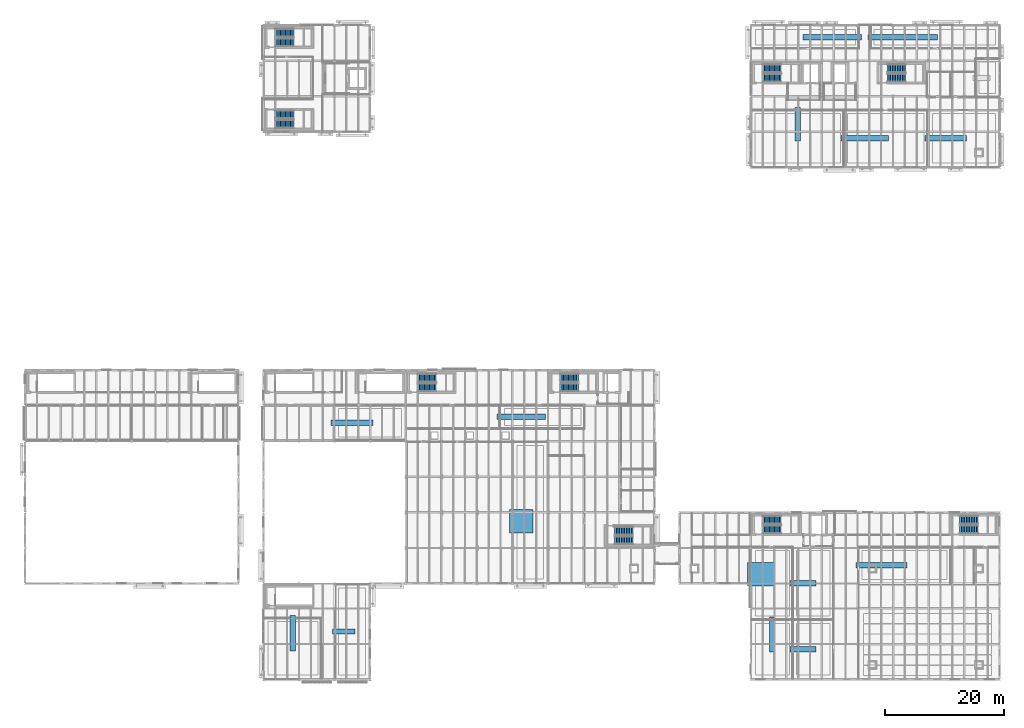
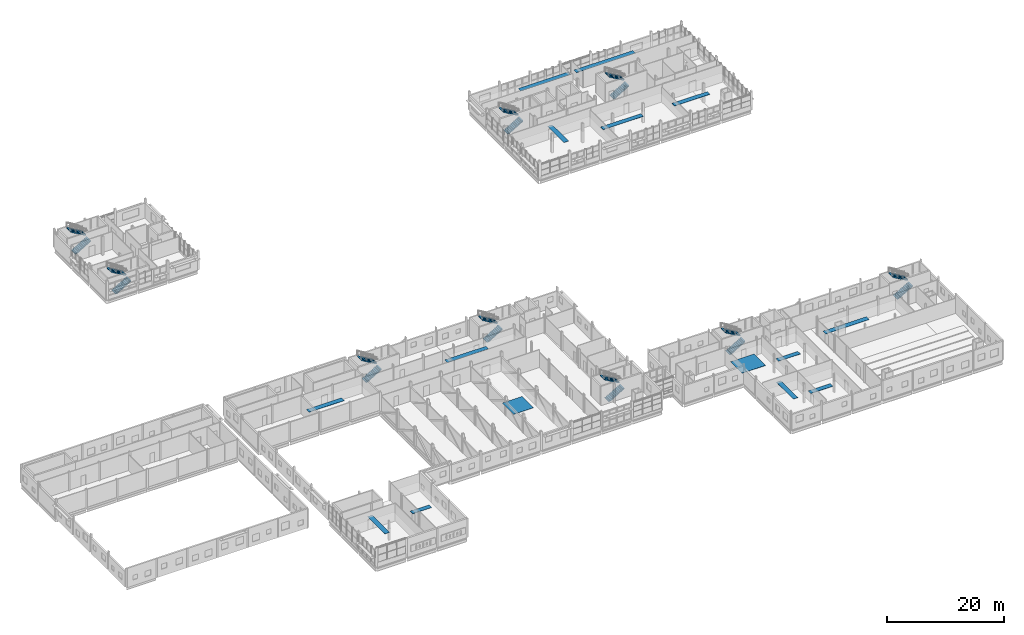
# One storey, part 79 of 92: 18 stair flights, 15 discrete accessories, 9 elements without a shape of their own.
"""IFC4 building model written with IfcOpenShell, lengths in metres."""

from ifc_helpers import new_model, si_unit, direction, frame, origin, origin_2d, place, context, subcontext, project, spatial, polyline, rectangle, outline, extrude, material, type_object, element, aggregate, save


model = new_model("IFC4")

# Units and contexts
model_context = context("Model", 3, precision=1e-05, world=origin(), true_north=direction((0.0, 1.0)))
body_context = subcontext(model_context, "Body", "Model", "MODEL_VIEW")
ifc_project = project(units=[si_unit("LENGTHUNIT", "METRE"), si_unit("AREAUNIT", "SQUARE_METRE"), si_unit("VOLUMEUNIT", "CUBIC_METRE"), si_unit("PLANEANGLEUNIT", "RADIAN"), si_unit("MASSUNIT", "GRAM", prefix="KILO")], contexts=[model_context])

# Site, building, storey
site_placement = place(None, origin())
site = spatial("IfcSite", under=ifc_project, at=site_placement, CompositionType="ELEMENT")
building_placement = place(site_placement, origin())
building = spatial("IfcBuilding", under=site, at=building_placement, Name="Siltcreek Boulevard Central Fire Station", CompositionType="ELEMENT")
storey_placement = place(building_placement, frame((0.0, 0.0, 6.0)))
storey = spatial("IfcBuildingStorey", under=building, at=storey_placement, Name="L02", CompositionType="ELEMENT", Elevation=6.0)

# Stair, stair flights
ifc_material_1 = material(Name="Precast concrete C40/50", Category="concrete")
stair_type = type_object("IfcStairType", Name="ST_DOG_H40", PredefinedType="HALF_TURN_STAIR", material=ifc_material_1)
stair_1_placement = place(storey_placement, origin())
stair_1 = element("IfcStair", 1, at=stair_1_placement, inside=storey, type_object=stair_type, Name="L02 Enclosed exit stairway ST-V2A", PredefinedType="HALF_TURN_STAIR")
stair_flight_type = type_object("IfcStairFlightType", Name="SF_DOG_H40", PredefinedType="STRAIGHT", material=ifc_material_1)
stair_flight_1_placement = place(storey_placement, frame((92.050048828125, 51.10009765625, 0.0), z_axis=(0.0, 0.0, 1.0), x_axis=(1.0, 0.0, 0.0)))
stair_flight_1 = element("IfcStairFlight", 2, at=stair_flight_1_placement, type_object=stair_flight_type, Name="ST-V2A flight 1", NumberOfRisers=12, NumberOfTreads=11, PredefinedType="STRAIGHT", RiserHeight=0.166666667, TreadLength=0.28, context=body_context, shape_type="SweptSolid", body=[
    extrude(outline(polyline([(0.0, 0.0), (0.0, 0.166748046875), (0.280029296875, 0.166748046875), (0.280029296875, 0.333251953125), (0.56005859375, 0.333251953125), (0.56005859375, 0.5), (0.840087890625, 0.5), (0.840087890625, 0.666748046875), (1.1201171875, 0.666748046875), (1.1201171875, 0.833251953125), (1.39990234375, 0.833251953125), (1.39990234375, 1.0), (1.679931640625, 1.0), (1.679931640625, 1.166748046875), (1.9599609375, 1.166748046875), (1.9599609375, 1.333251953125), (2.239990234375, 1.333251953125), (2.239990234375, 1.5), (2.52001953125, 1.5), (2.52001953125, 1.666748046875), (2.800048828125, 1.666748046875), (2.800048828125, 1.833251953125), (3.080078125, 1.833251953125), (3.080078125, 2.0), (3.080078125, 1.647216796875), (0.312744140625, 0.0), (0.0, 0.0)])), frame((0.0, 0.699951171875, 0.0), z_axis=(0.0, -1.0, 0.0), x_axis=(1.0, 0.0, 0.0)), (0.0, 0.0, 1.0), 1.39990234375),
])
stair_flight_2_placement = place(storey_placement, frame((95.1298828125, 52.699951171875, 2.0), z_axis=(0.0, 0.0, 1.0), x_axis=(-1.0, 0.0, 0.0)))
stair_flight_2 = element("IfcStairFlight", 3, at=stair_flight_2_placement, type_object=stair_flight_type, Name="ST-V2A flight 2", NumberOfRisers=12, NumberOfTreads=11, PredefinedType="STRAIGHT", RiserHeight=0.166666667, TreadLength=0.28, context=body_context, shape_type="SweptSolid", body=[
    extrude(outline(polyline([(0.0, 0.0), (0.0, 0.166748046875), (0.280029296875, 0.166748046875), (0.280029296875, 0.333251953125), (0.56005859375, 0.333251953125), (0.56005859375, 0.5), (0.840087890625, 0.5), (0.840087890625, 0.666748046875), (1.1201171875, 0.666748046875), (1.1201171875, 0.833251953125), (1.39990234375, 0.833251953125), (1.39990234375, 1.0), (1.679931640625, 1.0), (1.679931640625, 1.166748046875), (1.9599609375, 1.166748046875), (1.9599609375, 1.333251953125), (2.239990234375, 1.333251953125), (2.239990234375, 1.5), (2.52001953125, 1.5), (2.52001953125, 1.666748046875), (2.800048828125, 1.666748046875), (2.800048828125, 1.833251953125), (3.080078125, 1.833251953125), (3.080078125, 2.0), (3.080078125, 1.647216796875), (0.312744140625, 0.0), (0.0, 0.0)])), frame((0.0, 0.699951171875, 0.0), z_axis=(0.0, -1.0, 0.0), x_axis=(1.0, 0.0, 0.0)), (0.0, 0.0, 1.0), 1.39990234375),
])
aggregate(stair_1, [stair_flight_1, stair_flight_2])

stair_2_placement = place(storey_placement, origin())
stair_2 = element("IfcStair", 4, at=stair_2_placement, inside=storey, type_object=stair_type, Name="L02 Enclosed exit stairway ST-V2B", PredefinedType="HALF_TURN_STAIR")
stair_flight_3_placement = place(storey_placement, frame((101.25, 25.300048828125, 0.0), z_axis=(0.0, 0.0, 1.0), x_axis=(1.0, 0.0, 0.0)))
stair_flight_3 = element("IfcStairFlight", 5, at=stair_flight_3_placement, type_object=stair_flight_type, Name="ST-V2B flight 1", NumberOfRisers=12, NumberOfTreads=11, PredefinedType="STRAIGHT", RiserHeight=0.166666667, TreadLength=0.28, context=body_context, shape_type="SweptSolid", body=[
    extrude(outline(polyline([(0.0, 0.0), (0.0, 0.166748046875), (0.280029296875, 0.166748046875), (0.280029296875, 0.333251953125), (0.56005859375, 0.333251953125), (0.56005859375, 0.5), (0.840087890625, 0.5), (0.840087890625, 0.666748046875), (1.1201171875, 0.666748046875), (1.1201171875, 0.833251953125), (1.39990234375, 0.833251953125), (1.39990234375, 1.0), (1.679931640625, 1.0), (1.679931640625, 1.166748046875), (1.9599609375, 1.166748046875), (1.9599609375, 1.333251953125), (2.239990234375, 1.333251953125), (2.239990234375, 1.5), (2.52001953125, 1.5), (2.52001953125, 1.666748046875), (2.800048828125, 1.666748046875), (2.800048828125, 1.833251953125), (3.080078125, 1.833251953125), (3.080078125, 2.0), (3.080078125, 1.647216796875), (0.312744140625, 0.0), (0.0, 0.0)])), frame((0.0, 0.699951171875, 0.0), z_axis=(0.0, -1.0, 0.0), x_axis=(1.0, 0.0, 0.0)), (0.0, 0.0, 1.0), 1.39990234375),
])
stair_flight_4_placement = place(storey_placement, frame((104.330078125, 26.89990234375, 2.0), z_axis=(0.0, 0.0, 1.0), x_axis=(-1.0, 0.0, 0.0)))
stair_flight_4 = element("IfcStairFlight", 6, at=stair_flight_4_placement, type_object=stair_flight_type, Name="ST-V2B flight 2", NumberOfRisers=12, NumberOfTreads=11, PredefinedType="STRAIGHT", RiserHeight=0.166666667, TreadLength=0.28, context=body_context, shape_type="SweptSolid", body=[
    extrude(outline(polyline([(0.0, 0.0), (0.0, 0.166748046875), (0.280029296875, 0.166748046875), (0.280029296875, 0.333251953125), (0.56005859375, 0.333251953125), (0.56005859375, 0.5), (0.840087890625, 0.5), (0.840087890625, 0.666748046875), (1.1201171875, 0.666748046875), (1.1201171875, 0.833251953125), (1.39990234375, 0.833251953125), (1.39990234375, 1.0), (1.679931640625, 1.0), (1.679931640625, 1.166748046875), (1.9599609375, 1.166748046875), (1.9599609375, 1.333251953125), (2.239990234375, 1.333251953125), (2.239990234375, 1.5), (2.52001953125, 1.5), (2.52001953125, 1.666748046875), (2.800048828125, 1.666748046875), (2.800048828125, 1.833251953125), (3.080078125, 1.833251953125), (3.080078125, 2.0), (3.080078125, 1.647216796875), (0.312744140625, 0.0), (0.0, 0.0)])), frame((0.0, 0.699951171875, 0.0), z_axis=(0.0, -1.0, 0.0), x_axis=(1.0, 0.0, 0.0)), (0.0, 0.0, 1.0), 1.39990234375),
])
aggregate(stair_2, [stair_flight_3, stair_flight_4])

stair_3_placement = place(storey_placement, origin())
stair_3 = element("IfcStair", 7, at=stair_3_placement, inside=storey, type_object=stair_type, Name="L02 Enclosed exit stairway ST-V2C", PredefinedType="HALF_TURN_STAIR")
stair_flight_5_placement = place(storey_placement, frame((68.050048828125, 51.10009765625, 0.0), z_axis=(0.0, 0.0, 1.0), x_axis=(1.0, 0.0, 0.0)))
stair_flight_5 = element("IfcStairFlight", 8, at=stair_flight_5_placement, type_object=stair_flight_type, Name="ST-V2C flight 1", NumberOfRisers=12, NumberOfTreads=11, PredefinedType="STRAIGHT", RiserHeight=0.166666667, TreadLength=0.28, context=body_context, shape_type="SweptSolid", body=[
    extrude(outline(polyline([(0.0, 0.0), (0.0, 0.166748046875), (0.280029296875, 0.166748046875), (0.280029296875, 0.333251953125), (0.56005859375, 0.333251953125), (0.56005859375, 0.5), (0.840087890625, 0.5), (0.840087890625, 0.666748046875), (1.1201171875, 0.666748046875), (1.1201171875, 0.833251953125), (1.39990234375, 0.833251953125), (1.39990234375, 1.0), (1.679931640625, 1.0), (1.679931640625, 1.166748046875), (1.9599609375, 1.166748046875), (1.9599609375, 1.333251953125), (2.239990234375, 1.333251953125), (2.239990234375, 1.5), (2.52001953125, 1.5), (2.52001953125, 1.666748046875), (2.800048828125, 1.666748046875), (2.800048828125, 1.833251953125), (3.080078125, 1.833251953125), (3.080078125, 2.0), (3.080078125, 1.647216796875), (0.312744140625, 0.0), (0.0, 0.0)])), frame((0.0, 0.699951171875, 0.0), z_axis=(0.0, -1.0, 0.0), x_axis=(1.0, 0.0, 0.0)), (0.0, 0.0, 1.0), 1.39990234375),
])
stair_flight_6_placement = place(storey_placement, frame((71.1298828125, 52.699951171875, 2.0), z_axis=(0.0, 0.0, 1.0), x_axis=(-1.0, 0.0, 0.0)))
stair_flight_6 = element("IfcStairFlight", 9, at=stair_flight_6_placement, type_object=stair_flight_type, Name="ST-V2C flight 2", NumberOfRisers=12, NumberOfTreads=11, PredefinedType="STRAIGHT", RiserHeight=0.166666667, TreadLength=0.28, context=body_context, shape_type="SweptSolid", body=[
    extrude(outline(polyline([(0.0, 0.0), (0.0, 0.166748046875), (0.280029296875, 0.166748046875), (0.280029296875, 0.333251953125), (0.56005859375, 0.333251953125), (0.56005859375, 0.5), (0.840087890625, 0.5), (0.840087890625, 0.666748046875), (1.1201171875, 0.666748046875), (1.1201171875, 0.833251953125), (1.39990234375, 0.833251953125), (1.39990234375, 1.0), (1.679931640625, 1.0), (1.679931640625, 1.166748046875), (1.9599609375, 1.166748046875), (1.9599609375, 1.333251953125), (2.239990234375, 1.333251953125), (2.239990234375, 1.5), (2.52001953125, 1.5), (2.52001953125, 1.666748046875), (2.800048828125, 1.666748046875), (2.800048828125, 1.833251953125), (3.080078125, 1.833251953125), (3.080078125, 2.0), (3.080078125, 1.647216796875), (0.312744140625, 0.0), (0.0, 0.0)])), frame((0.0, 0.699951171875, 0.0), z_axis=(0.0, -1.0, 0.0), x_axis=(1.0, 0.0, 0.0)), (0.0, 0.0, 1.0), 1.39990234375),
])
aggregate(stair_3, [stair_flight_5, stair_flight_6])

stair_4_placement = place(storey_placement, origin())
stair_4 = element("IfcStair", 10, at=stair_4_placement, inside=storey, type_object=stair_type, Name="L02 Enclosed exit stairway ST-V3A", PredefinedType="HALF_TURN_STAIR")
stair_flight_7_placement = place(storey_placement, frame((44.050048828125, 95.5, 0.0), z_axis=(0.0, 0.0, 1.0), x_axis=(1.0, 0.0, 0.0)))
stair_flight_7 = element("IfcStairFlight", 11, at=stair_flight_7_placement, type_object=stair_flight_type, Name="ST-V3A flight 1", NumberOfRisers=12, NumberOfTreads=11, PredefinedType="STRAIGHT", RiserHeight=0.166666667, TreadLength=0.28, context=body_context, shape_type="SweptSolid", body=[
    extrude(outline(polyline([(0.0, 0.0), (0.0, 0.166748046875), (0.280029296875, 0.166748046875), (0.280029296875, 0.333251953125), (0.56005859375, 0.333251953125), (0.56005859375, 0.5), (0.840087890625, 0.5), (0.840087890625, 0.666748046875), (1.1201171875, 0.666748046875), (1.1201171875, 0.833251953125), (1.39990234375, 0.833251953125), (1.39990234375, 1.0), (1.679931640625, 1.0), (1.679931640625, 1.166748046875), (1.9599609375, 1.166748046875), (1.9599609375, 1.333251953125), (2.239990234375, 1.333251953125), (2.239990234375, 1.5), (2.52001953125, 1.5), (2.52001953125, 1.666748046875), (2.800048828125, 1.666748046875), (2.800048828125, 1.833251953125), (3.080078125, 1.833251953125), (3.080078125, 2.0), (3.080078125, 1.647216796875), (0.312744140625, 0.0), (0.0, 0.0)])), frame((0.0, 0.699951171875, 0.0), z_axis=(0.0, -1.0, 0.0), x_axis=(1.0, 0.0, 0.0)), (0.0, 0.0, 1.0), 1.39990234375),
])
stair_flight_8_placement = place(storey_placement, frame((47.1298828125, 97.10009765625, 2.0), z_axis=(0.0, 0.0, 1.0), x_axis=(-1.0, 0.0, 0.0)))
stair_flight_8 = element("IfcStairFlight", 12, at=stair_flight_8_placement, type_object=stair_flight_type, Name="ST-V3A flight 2", NumberOfRisers=12, NumberOfTreads=11, PredefinedType="STRAIGHT", RiserHeight=0.166666667, TreadLength=0.28, context=body_context, shape_type="SweptSolid", body=[
    extrude(outline(polyline([(0.0, 0.0), (0.0, 0.166748046875), (0.280029296875, 0.166748046875), (0.280029296875, 0.333251953125), (0.56005859375, 0.333251953125), (0.56005859375, 0.5), (0.840087890625, 0.5), (0.840087890625, 0.666748046875), (1.1201171875, 0.666748046875), (1.1201171875, 0.833251953125), (1.39990234375, 0.833251953125), (1.39990234375, 1.0), (1.679931640625, 1.0), (1.679931640625, 1.166748046875), (1.9599609375, 1.166748046875), (1.9599609375, 1.333251953125), (2.239990234375, 1.333251953125), (2.239990234375, 1.5), (2.52001953125, 1.5), (2.52001953125, 1.666748046875), (2.800048828125, 1.666748046875), (2.800048828125, 1.833251953125), (3.080078125, 1.833251953125), (3.080078125, 2.0), (3.080078125, 1.647216796875), (0.312744140625, 0.0), (0.0, 0.0)])), frame((0.0, 0.699951171875, 0.0), z_axis=(0.0, -1.0, 0.0), x_axis=(1.0, 0.0, 0.0)), (0.0, 0.0, 1.0), 1.39990234375),
])
aggregate(stair_4, [stair_flight_7, stair_flight_8])

stair_5_placement = place(storey_placement, origin())
stair_5 = element("IfcStair", 13, at=stair_5_placement, inside=storey, type_object=stair_type, Name="L02 Enclosed exit stairway ST-V3B", PredefinedType="HALF_TURN_STAIR")
stair_flight_9_placement = place(storey_placement, frame((44.050048828125, 109.300048828125, 0.0), z_axis=(0.0, 0.0, 1.0), x_axis=(1.0, 0.0, 0.0)))
stair_flight_9 = element("IfcStairFlight", 14, at=stair_flight_9_placement, type_object=stair_flight_type, Name="ST-V3B flight 1", NumberOfRisers=12, NumberOfTreads=11, PredefinedType="STRAIGHT", RiserHeight=0.166666667, TreadLength=0.28, context=body_context, shape_type="SweptSolid", body=[
    extrude(outline(polyline([(0.0, 0.0), (0.0, 0.166748046875), (0.280029296875, 0.166748046875), (0.280029296875, 0.333251953125), (0.56005859375, 0.333251953125), (0.56005859375, 0.5), (0.840087890625, 0.5), (0.840087890625, 0.666748046875), (1.1201171875, 0.666748046875), (1.1201171875, 0.833251953125), (1.39990234375, 0.833251953125), (1.39990234375, 1.0), (1.679931640625, 1.0), (1.679931640625, 1.166748046875), (1.9599609375, 1.166748046875), (1.9599609375, 1.333251953125), (2.239990234375, 1.333251953125), (2.239990234375, 1.5), (2.52001953125, 1.5), (2.52001953125, 1.666748046875), (2.800048828125, 1.666748046875), (2.800048828125, 1.833251953125), (3.080078125, 1.833251953125), (3.080078125, 2.0), (3.080078125, 1.647216796875), (0.312744140625, 0.0), (0.0, 0.0)])), frame((0.0, 0.699951171875, 0.0), z_axis=(0.0, -1.0, 0.0), x_axis=(1.0, 0.0, 0.0)), (0.0, 0.0, 1.0), 1.39990234375),
])
stair_flight_10_placement = place(storey_placement, frame((47.1298828125, 110.89990234375, 2.0), z_axis=(0.0, 0.0, 1.0), x_axis=(-1.0, 0.0, 0.0)))
stair_flight_10 = element("IfcStairFlight", 15, at=stair_flight_10_placement, type_object=stair_flight_type, Name="ST-V3B flight 2", NumberOfRisers=12, NumberOfTreads=11, PredefinedType="STRAIGHT", RiserHeight=0.166666667, TreadLength=0.28, context=body_context, shape_type="SweptSolid", body=[
    extrude(outline(polyline([(0.0, 0.0), (0.0, 0.166748046875), (0.280029296875, 0.166748046875), (0.280029296875, 0.333251953125), (0.56005859375, 0.333251953125), (0.56005859375, 0.5), (0.840087890625, 0.5), (0.840087890625, 0.666748046875), (1.1201171875, 0.666748046875), (1.1201171875, 0.833251953125), (1.39990234375, 0.833251953125), (1.39990234375, 1.0), (1.679931640625, 1.0), (1.679931640625, 1.166748046875), (1.9599609375, 1.166748046875), (1.9599609375, 1.333251953125), (2.239990234375, 1.333251953125), (2.239990234375, 1.5), (2.52001953125, 1.5), (2.52001953125, 1.666748046875), (2.800048828125, 1.666748046875), (2.800048828125, 1.833251953125), (3.080078125, 1.833251953125), (3.080078125, 2.0), (3.080078125, 1.647216796875), (0.312744140625, 0.0), (0.0, 0.0)])), frame((0.0, 0.699951171875, 0.0), z_axis=(0.0, -1.0, 0.0), x_axis=(1.0, 0.0, 0.0)), (0.0, 0.0, 1.0), 1.39990234375),
])
aggregate(stair_5, [stair_flight_9, stair_flight_10])

stair_6_placement = place(storey_placement, origin())
stair_6 = element("IfcStair", 16, at=stair_6_placement, inside=storey, type_object=stair_type, Name="L02 Enclosed exit stairway ST-V5A", PredefinedType="HALF_TURN_STAIR")
stair_flight_11_placement = place(storey_placement, frame((126.25, 103.300048828125, 0.0), z_axis=(0.0, 0.0, 1.0), x_axis=(1.0, 0.0, 0.0)))
stair_flight_11 = element("IfcStairFlight", 17, at=stair_flight_11_placement, type_object=stair_flight_type, Name="ST-V5A flight 1", NumberOfRisers=12, NumberOfTreads=11, PredefinedType="STRAIGHT", RiserHeight=0.166666667, TreadLength=0.28, context=body_context, shape_type="SweptSolid", body=[
    extrude(outline(polyline([(0.0, 0.0), (0.0, 0.166748046875), (0.280029296875, 0.166748046875), (0.280029296875, 0.333251953125), (0.56005859375, 0.333251953125), (0.56005859375, 0.5), (0.840087890625, 0.5), (0.840087890625, 0.666748046875), (1.1201171875, 0.666748046875), (1.1201171875, 0.833251953125), (1.39990234375, 0.833251953125), (1.39990234375, 1.0), (1.679931640625, 1.0), (1.679931640625, 1.166748046875), (1.9599609375, 1.166748046875), (1.9599609375, 1.333251953125), (2.239990234375, 1.333251953125), (2.239990234375, 1.5), (2.52001953125, 1.5), (2.52001953125, 1.666748046875), (2.800048828125, 1.666748046875), (2.800048828125, 1.833251953125), (3.080078125, 1.833251953125), (3.080078125, 2.0), (3.080078125, 1.647216796875), (0.312744140625, 0.0), (0.0, 0.0)])), frame((0.0, 0.699951171875, 0.0), z_axis=(0.0, -1.0, 0.0), x_axis=(1.0, 0.0, 0.0)), (0.0, 0.0, 1.0), 1.39990234375),
])
stair_flight_12_placement = place(storey_placement, frame((129.330078125, 104.89990234375, 2.0), z_axis=(0.0, 0.0, 1.0), x_axis=(-1.0, 0.0, 0.0)))
stair_flight_12 = element("IfcStairFlight", 18, at=stair_flight_12_placement, type_object=stair_flight_type, Name="ST-V5A flight 2", NumberOfRisers=12, NumberOfTreads=11, PredefinedType="STRAIGHT", RiserHeight=0.166666667, TreadLength=0.28, context=body_context, shape_type="SweptSolid", body=[
    extrude(outline(polyline([(0.0, 0.0), (0.0, 0.166748046875), (0.280029296875, 0.166748046875), (0.280029296875, 0.333251953125), (0.56005859375, 0.333251953125), (0.56005859375, 0.5), (0.840087890625, 0.5), (0.840087890625, 0.666748046875), (1.1201171875, 0.666748046875), (1.1201171875, 0.833251953125), (1.39990234375, 0.833251953125), (1.39990234375, 1.0), (1.679931640625, 1.0), (1.679931640625, 1.166748046875), (1.9599609375, 1.166748046875), (1.9599609375, 1.333251953125), (2.239990234375, 1.333251953125), (2.239990234375, 1.5), (2.52001953125, 1.5), (2.52001953125, 1.666748046875), (2.800048828125, 1.666748046875), (2.800048828125, 1.833251953125), (3.080078125, 1.833251953125), (3.080078125, 2.0), (3.080078125, 1.647216796875), (0.312744140625, 0.0), (0.0, 0.0)])), frame((0.0, 0.699951171875, 0.0), z_axis=(0.0, -1.0, 0.0), x_axis=(1.0, 0.0, 0.0)), (0.0, 0.0, 1.0), 1.39990234375),
])
aggregate(stair_6, [stair_flight_11, stair_flight_12])

stair_7_placement = place(storey_placement, origin())
stair_7 = element("IfcStair", 19, at=stair_7_placement, inside=storey, type_object=stair_type, Name="L02 Enclosed exit stairway ST-V5B", PredefinedType="HALF_TURN_STAIR")
stair_flight_13_placement = place(storey_placement, frame((147.25, 103.300048828125, 0.0), z_axis=(0.0, 0.0, 1.0), x_axis=(1.0, 0.0, 0.0)))
stair_flight_13 = element("IfcStairFlight", 20, at=stair_flight_13_placement, type_object=stair_flight_type, Name="ST-V5B flight 1", NumberOfRisers=12, NumberOfTreads=11, PredefinedType="STRAIGHT", RiserHeight=0.166666667, TreadLength=0.28, context=body_context, shape_type="SweptSolid", body=[
    extrude(outline(polyline([(0.0, 0.0), (0.0, 0.166748046875), (0.280029296875, 0.166748046875), (0.280029296875, 0.333251953125), (0.56005859375, 0.333251953125), (0.56005859375, 0.5), (0.840087890625, 0.5), (0.840087890625, 0.666748046875), (1.1201171875, 0.666748046875), (1.1201171875, 0.833251953125), (1.39990234375, 0.833251953125), (1.39990234375, 1.0), (1.679931640625, 1.0), (1.679931640625, 1.166748046875), (1.9599609375, 1.166748046875), (1.9599609375, 1.333251953125), (2.239990234375, 1.333251953125), (2.239990234375, 1.5), (2.52001953125, 1.5), (2.52001953125, 1.666748046875), (2.800048828125, 1.666748046875), (2.800048828125, 1.833251953125), (3.080078125, 1.833251953125), (3.080078125, 2.0), (3.080078125, 1.647216796875), (0.312744140625, 0.0), (0.0, 0.0)])), frame((0.0, 0.699951171875, 0.0), z_axis=(0.0, -1.0, 0.0), x_axis=(1.0, 0.0, 0.0)), (0.0, 0.0, 1.0), 1.39990234375),
])
stair_flight_14_placement = place(storey_placement, frame((150.330078125, 104.89990234375, 2.0), z_axis=(0.0, 0.0, 1.0), x_axis=(-1.0, 0.0, 0.0)))
stair_flight_14 = element("IfcStairFlight", 21, at=stair_flight_14_placement, type_object=stair_flight_type, Name="ST-V5B flight 2", NumberOfRisers=12, NumberOfTreads=11, PredefinedType="STRAIGHT", RiserHeight=0.166666667, TreadLength=0.28, context=body_context, shape_type="SweptSolid", body=[
    extrude(outline(polyline([(0.0, 0.0), (0.0, 0.166748046875), (0.280029296875, 0.166748046875), (0.280029296875, 0.333251953125), (0.56005859375, 0.333251953125), (0.56005859375, 0.5), (0.840087890625, 0.5), (0.840087890625, 0.666748046875), (1.1201171875, 0.666748046875), (1.1201171875, 0.833251953125), (1.39990234375, 0.833251953125), (1.39990234375, 1.0), (1.679931640625, 1.0), (1.679931640625, 1.166748046875), (1.9599609375, 1.166748046875), (1.9599609375, 1.333251953125), (2.239990234375, 1.333251953125), (2.239990234375, 1.5), (2.52001953125, 1.5), (2.52001953125, 1.666748046875), (2.800048828125, 1.666748046875), (2.800048828125, 1.833251953125), (3.080078125, 1.833251953125), (3.080078125, 2.0), (3.080078125, 1.647216796875), (0.312744140625, 0.0), (0.0, 0.0)])), frame((0.0, 0.699951171875, 0.0), z_axis=(0.0, -1.0, 0.0), x_axis=(1.0, 0.0, 0.0)), (0.0, 0.0, 1.0), 1.39990234375),
])
aggregate(stair_7, [stair_flight_13, stair_flight_14])

stair_8_placement = place(storey_placement, origin())
stair_8 = element("IfcStair", 22, at=stair_8_placement, inside=storey, type_object=stair_type, Name="L02 Enclosed exit stairway ST-V6A", PredefinedType="HALF_TURN_STAIR")
stair_flight_15_placement = place(storey_placement, frame((126.25, 27.10009765625, 0.0), z_axis=(0.0, 0.0, 1.0), x_axis=(1.0, 0.0, 0.0)))
stair_flight_15 = element("IfcStairFlight", 23, at=stair_flight_15_placement, type_object=stair_flight_type, Name="ST-V6A flight 1", NumberOfRisers=12, NumberOfTreads=11, PredefinedType="STRAIGHT", RiserHeight=0.166666667, TreadLength=0.28, context=body_context, shape_type="SweptSolid", body=[
    extrude(outline(polyline([(0.0, 0.0), (0.0, 0.166748046875), (0.280029296875, 0.166748046875), (0.280029296875, 0.333251953125), (0.56005859375, 0.333251953125), (0.56005859375, 0.5), (0.840087890625, 0.5), (0.840087890625, 0.666748046875), (1.1201171875, 0.666748046875), (1.1201171875, 0.833251953125), (1.39990234375, 0.833251953125), (1.39990234375, 1.0), (1.679931640625, 1.0), (1.679931640625, 1.166748046875), (1.9599609375, 1.166748046875), (1.9599609375, 1.333251953125), (2.239990234375, 1.333251953125), (2.239990234375, 1.5), (2.52001953125, 1.5), (2.52001953125, 1.666748046875), (2.800048828125, 1.666748046875), (2.800048828125, 1.833251953125), (3.080078125, 1.833251953125), (3.080078125, 2.0), (3.080078125, 1.647216796875), (0.312744140625, 0.0), (0.0, 0.0)])), frame((0.0, 0.699951171875, 0.0), z_axis=(0.0, -1.0, 0.0), x_axis=(1.0, 0.0, 0.0)), (0.0, 0.0, 1.0), 1.39990234375),
])
stair_flight_16_placement = place(storey_placement, frame((129.330078125, 28.699951171875, 2.0), z_axis=(0.0, 0.0, 1.0), x_axis=(-1.0, 0.0, 0.0)))
stair_flight_16 = element("IfcStairFlight", 24, at=stair_flight_16_placement, type_object=stair_flight_type, Name="ST-V6A flight 2", NumberOfRisers=12, NumberOfTreads=11, PredefinedType="STRAIGHT", RiserHeight=0.166666667, TreadLength=0.28, context=body_context, shape_type="SweptSolid", body=[
    extrude(outline(polyline([(0.0, 0.0), (0.0, 0.166748046875), (0.280029296875, 0.166748046875), (0.280029296875, 0.333251953125), (0.56005859375, 0.333251953125), (0.56005859375, 0.5), (0.840087890625, 0.5), (0.840087890625, 0.666748046875), (1.1201171875, 0.666748046875), (1.1201171875, 0.833251953125), (1.39990234375, 0.833251953125), (1.39990234375, 1.0), (1.679931640625, 1.0), (1.679931640625, 1.166748046875), (1.9599609375, 1.166748046875), (1.9599609375, 1.333251953125), (2.239990234375, 1.333251953125), (2.239990234375, 1.5), (2.52001953125, 1.5), (2.52001953125, 1.666748046875), (2.800048828125, 1.666748046875), (2.800048828125, 1.833251953125), (3.080078125, 1.833251953125), (3.080078125, 2.0), (3.080078125, 1.647216796875), (0.312744140625, 0.0), (0.0, 0.0)])), frame((0.0, 0.699951171875, 0.0), z_axis=(0.0, -1.0, 0.0), x_axis=(1.0, 0.0, 0.0)), (0.0, 0.0, 1.0), 1.39990234375),
])
aggregate(stair_8, [stair_flight_15, stair_flight_16])

stair_9_placement = place(storey_placement, origin())
stair_9 = element("IfcStair", 25, at=stair_9_placement, inside=storey, type_object=stair_type, Name="L02 Enclosed exit stairway ST-V6B", PredefinedType="HALF_TURN_STAIR")
stair_flight_17_placement = place(storey_placement, frame((159.449951171875, 27.10009765625, 0.0), z_axis=(0.0, 0.0, 1.0), x_axis=(1.0, 0.0, 0.0)))
stair_flight_17 = element("IfcStairFlight", 26, at=stair_flight_17_placement, type_object=stair_flight_type, Name="ST-V6B flight 1", NumberOfRisers=12, NumberOfTreads=11, PredefinedType="STRAIGHT", RiserHeight=0.166666667, TreadLength=0.28, context=body_context, shape_type="SweptSolid", body=[
    extrude(outline(polyline([(0.0, 0.0), (0.0, 0.166748046875), (0.280029296875, 0.166748046875), (0.280029296875, 0.333251953125), (0.56005859375, 0.333251953125), (0.56005859375, 0.5), (0.840087890625, 0.5), (0.840087890625, 0.666748046875), (1.1201171875, 0.666748046875), (1.1201171875, 0.833251953125), (1.39990234375, 0.833251953125), (1.39990234375, 1.0), (1.679931640625, 1.0), (1.679931640625, 1.166748046875), (1.9599609375, 1.166748046875), (1.9599609375, 1.333251953125), (2.239990234375, 1.333251953125), (2.239990234375, 1.5), (2.52001953125, 1.5), (2.52001953125, 1.666748046875), (2.800048828125, 1.666748046875), (2.800048828125, 1.833251953125), (3.080078125, 1.833251953125), (3.080078125, 2.0), (3.080078125, 1.647216796875), (0.312744140625, 0.0), (0.0, 0.0)])), frame((0.0, 0.699951171875, 0.0), z_axis=(0.0, -1.0, 0.0), x_axis=(1.0, 0.0, 0.0)), (0.0, 0.0, 1.0), 1.39990234375),
])
stair_flight_18_placement = place(storey_placement, frame((162.530029296875, 28.699951171875, 2.0), z_axis=(0.0, 0.0, 1.0), x_axis=(-1.0, 0.0, 0.0)))
stair_flight_18 = element("IfcStairFlight", 27, at=stair_flight_18_placement, type_object=stair_flight_type, Name="ST-V6B flight 2", NumberOfRisers=12, NumberOfTreads=11, PredefinedType="STRAIGHT", RiserHeight=0.166666667, TreadLength=0.28, context=body_context, shape_type="SweptSolid", body=[
    extrude(outline(polyline([(0.0, 0.0), (0.0, 0.166748046875), (0.280029296875, 0.166748046875), (0.280029296875, 0.333251953125), (0.56005859375, 0.333251953125), (0.56005859375, 0.5), (0.840087890625, 0.5), (0.840087890625, 0.666748046875), (1.1201171875, 0.666748046875), (1.1201171875, 0.833251953125), (1.39990234375, 0.833251953125), (1.39990234375, 1.0), (1.679931640625, 1.0), (1.679931640625, 1.166748046875), (1.9599609375, 1.166748046875), (1.9599609375, 1.333251953125), (2.239990234375, 1.333251953125), (2.239990234375, 1.5), (2.52001953125, 1.5), (2.52001953125, 1.666748046875), (2.800048828125, 1.666748046875), (2.800048828125, 1.833251953125), (3.080078125, 1.833251953125), (3.080078125, 2.0), (3.080078125, 1.647216796875), (0.312744140625, 0.0), (0.0, 0.0)])), frame((0.0, 0.699951171875, 0.0), z_axis=(0.0, -1.0, 0.0), x_axis=(1.0, 0.0, 0.0)), (0.0, 0.0, 1.0), 1.39990234375),
])
aggregate(stair_9, [stair_flight_17, stair_flight_18])

# Discrete accessories
ifc_material_2 = material(Name="Hot-dip galvanized steel facade outrigger bracket", Category="steel")
discrete_accessory_type = type_object("IfcDiscreteAccessoryType", Name="ACC_BRACKET", PredefinedType="BRACKET", material=ifc_material_2)
discrete_accessory_1_placement = place(storey_placement, frame((46.95947265625, 9.612548828125, 2.411865234375), z_axis=(0.0, 0.0, 1.0), x_axis=(1.0, 0.0, 0.0)))
element("IfcDiscreteAccessory", 28, at=discrete_accessory_1_placement, inside=storey, type_object=discrete_accessory_type, Name="L02 acoustic ceiling wall ledger bracket 011", PredefinedType="BRACKET", context=body_context, shape_type="SweptSolid", body=[
    extrude(rectangle(XDim=0.911376953125, YDim=5.9951171875, at=origin_2d()), origin(), (0.0, 0.0, 1.0), 0.0400390625),
])
discrete_accessory_2_placement = place(storey_placement, frame((55.547607421875, 9.90185546875, 2.411865234375), z_axis=(0.0, 0.0, 1.0), x_axis=(1.0, 0.0, 0.0)))
element("IfcDiscreteAccessory", 29, at=discrete_accessory_2_placement, inside=storey, type_object=discrete_accessory_type, Name="L02 acoustic ceiling wall ledger bracket 012", PredefinedType="BRACKET", context=body_context, shape_type="SweptSolid", body=[
    extrude(rectangle(XDim=3.7548828125, YDim=0.90380859375, at=origin_2d()), origin(), (0.0, 0.0, 1.0), 0.0400390625),
])
discrete_accessory_3_placement = place(storey_placement, frame((56.93994140625, 45.1201171875, 2.411865234375), z_axis=(0.0, 0.0, 1.0), x_axis=(1.0, 0.0, 0.0)))
element("IfcDiscreteAccessory", 30, at=discrete_accessory_3_placement, inside=storey, type_object=discrete_accessory_type, Name="L02 acoustic ceiling wall ledger bracket 013", PredefinedType="BRACKET", context=body_context, shape_type="SweptSolid", body=[
    extrude(rectangle(XDim=7.02001953125, YDim=0.9599609375, at=origin_2d()), origin(), (0.0, 0.0, 1.0), 0.0400390625),
])
discrete_accessory_4_placement = place(storey_placement, frame((85.5, 28.512451171875, 2.411865234375), z_axis=(0.0, 0.0, 1.0), x_axis=(1.0, 0.0, 0.0)))
element("IfcDiscreteAccessory", 31, at=discrete_accessory_4_placement, inside=storey, type_object=discrete_accessory_type, Name="L02 acoustic ceiling wall ledger bracket 014", PredefinedType="BRACKET", context=body_context, shape_type="SweptSolid", body=[
    extrude(rectangle(XDim=3.89990234375, YDim=3.925048828125, at=origin_2d()), origin(), (0.0, 0.0, 1.0), 0.0400390625),
])
discrete_accessory_5_placement = place(storey_placement, frame((85.510009765625, 46.10888671875, 2.411865234375), z_axis=(0.0, 0.0, 1.0), x_axis=(1.0, 0.0, 0.0)))
element("IfcDiscreteAccessory", 32, at=discrete_accessory_5_placement, inside=storey, type_object=discrete_accessory_type, Name="L02 acoustic ceiling wall ledger bracket 015", PredefinedType="BRACKET", context=body_context, shape_type="SweptSolid", body=[
    extrude(rectangle(XDim=8.159912109375, YDim=0.9326171875, at=origin_2d()), origin(), (0.0, 0.0, 1.0), 0.0400390625),
])
discrete_accessory_6_placement = place(storey_placement, frame((132.119384765625, 95.472412109375, 2.411865234375), z_axis=(0.0, 0.0, 1.0), x_axis=(1.0, 0.0, 0.0)))
element("IfcDiscreteAccessory", 33, at=discrete_accessory_6_placement, inside=storey, type_object=discrete_accessory_type, Name="L02 acoustic ceiling wall ledger bracket 016", PredefinedType="BRACKET", context=body_context, shape_type="SweptSolid", body=[
    extrude(rectangle(XDim=0.911376953125, YDim=5.635009765625, at=origin_2d()), origin(), (0.0, 0.0, 1.0), 0.0400390625),
])
discrete_accessory_7_placement = place(storey_placement, frame((143.427490234375, 93.0869140625, 2.411865234375), z_axis=(0.0, 0.0, 1.0), x_axis=(1.0, 0.0, 0.0)))
element("IfcDiscreteAccessory", 34, at=discrete_accessory_7_placement, inside=storey, type_object=discrete_accessory_type, Name="L02 acoustic ceiling wall ledger bracket 017", PredefinedType="BRACKET", context=body_context, shape_type="SweptSolid", body=[
    extrude(rectangle(XDim=7.9951171875, YDim=0.936279296875, at=origin_2d()), origin(), (0.0, 0.0, 1.0), 0.0400390625),
])
discrete_accessory_8_placement = place(storey_placement, frame((157.090087890625, 93.0830078125, 2.411865234375), z_axis=(0.0, 0.0, 1.0), x_axis=(1.0, 0.0, 0.0)))
element("IfcDiscreteAccessory", 35, at=discrete_accessory_8_placement, inside=storey, type_object=discrete_accessory_type, Name="L02 acoustic ceiling wall ledger bracket 018", PredefinedType="BRACKET", context=body_context, shape_type="SweptSolid", body=[
    extrude(rectangle(XDim=7.02001953125, YDim=0.94384765625, at=origin_2d()), origin(), (0.0, 0.0, 1.0), 0.0400390625),
])
discrete_accessory_9_placement = place(storey_placement, frame((137.927490234375, 110.140625, 2.411865234375), z_axis=(0.0, 0.0, 1.0), x_axis=(1.0, 0.0, 0.0)))
element("IfcDiscreteAccessory", 36, at=discrete_accessory_9_placement, inside=storey, type_object=discrete_accessory_type, Name="L02 acoustic ceiling wall ledger bracket 019", PredefinedType="BRACKET", context=body_context, shape_type="SweptSolid", body=[
    extrude(rectangle(XDim=9.905029296875, YDim=0.911376953125, at=origin_2d()), origin(), (0.0, 0.0, 1.0), 0.0400390625),
])
discrete_accessory_10_placement = place(storey_placement, frame((149.83740234375, 110.140625, 2.411865234375), z_axis=(0.0, 0.0, 1.0), x_axis=(1.0, 0.0, 0.0)))
element("IfcDiscreteAccessory", 37, at=discrete_accessory_10_placement, inside=storey, type_object=discrete_accessory_type, Name="L02 acoustic ceiling wall ledger bracket 020", PredefinedType="BRACKET", context=body_context, shape_type="SweptSolid", body=[
    extrude(rectangle(XDim=11.695068359375, YDim=0.911376953125, at=origin_2d()), origin(), (0.0, 0.0, 1.0), 0.0400390625),
])
discrete_accessory_11_placement = place(storey_placement, frame((127.835693359375, 9.402587890625, 2.411865234375), z_axis=(0.0, 0.0, 1.0), x_axis=(1.0, 0.0, 0.0)))
element("IfcDiscreteAccessory", 38, at=discrete_accessory_11_placement, inside=storey, type_object=discrete_accessory_type, Name="L02 acoustic ceiling wall ledger bracket 022", PredefinedType="BRACKET", context=body_context, shape_type="SweptSolid", body=[
    extrude(rectangle(XDim=0.9287109375, YDim=5.85498046875, at=origin_2d()), origin(), (0.0, 0.0, 1.0), 0.0400390625),
])
discrete_accessory_12_placement = place(storey_placement, frame((133.0048828125, 6.906982421875, 2.411865234375), z_axis=(0.0, 0.0, 1.0), x_axis=(1.0, 0.0, 0.0)))
element("IfcDiscreteAccessory", 39, at=discrete_accessory_12_placement, inside=storey, type_object=discrete_accessory_type, Name="L02 acoustic ceiling wall ledger bracket 023", PredefinedType="BRACKET", context=body_context, shape_type="SweptSolid", body=[
    extrude(rectangle(XDim=4.35009765625, YDim=0.936279296875, at=origin_2d()), origin(), (0.0, 0.0, 1.0), 0.0400390625),
])
discrete_accessory_13_placement = place(storey_placement, frame((125.965087890625, 19.58447265625, 2.411865234375), z_axis=(0.0, 0.0, 1.0), x_axis=(1.0, 0.0, 0.0)))
element("IfcDiscreteAccessory", 40, at=discrete_accessory_13_placement, inside=storey, type_object=discrete_accessory_type, Name="L02 acoustic ceiling wall ledger bracket 024", PredefinedType="BRACKET", context=body_context, shape_type="SweptSolid", body=[
    extrude(rectangle(XDim=4.669921875, YDim=3.98876953125, at=origin_2d()), origin(), (0.0, 0.0, 1.0), 0.0400390625),
])
discrete_accessory_14_placement = place(storey_placement, frame((133.0048828125, 18.030029296875, 2.411865234375), z_axis=(0.0, 0.0, 1.0), x_axis=(1.0, 0.0, 0.0)))
element("IfcDiscreteAccessory", 41, at=discrete_accessory_14_placement, inside=storey, type_object=discrete_accessory_type, Name="L02 acoustic ceiling wall ledger bracket 025", PredefinedType="BRACKET", context=body_context, shape_type="SweptSolid", body=[
    extrude(rectangle(XDim=4.35009765625, YDim=0.919921875, at=origin_2d()), origin(), (0.0, 0.0, 1.0), 0.0400390625),
])
discrete_accessory_15_placement = place(storey_placement, frame((146.24755859375, 21.09130859375, 2.411865234375), z_axis=(0.0, 0.0, 1.0), x_axis=(1.0, 0.0, 0.0)))
element("IfcDiscreteAccessory", 42, at=discrete_accessory_15_placement, inside=storey, type_object=discrete_accessory_type, Name="L02 acoustic ceiling wall ledger bracket 026", PredefinedType="BRACKET", context=body_context, shape_type="SweptSolid", body=[
    extrude(rectangle(XDim=8.655029296875, YDim=0.9775390625, at=origin_2d()), origin(), (0.0, 0.0, 1.0), 0.0400390625),
])

save(model, "model.ifc")
